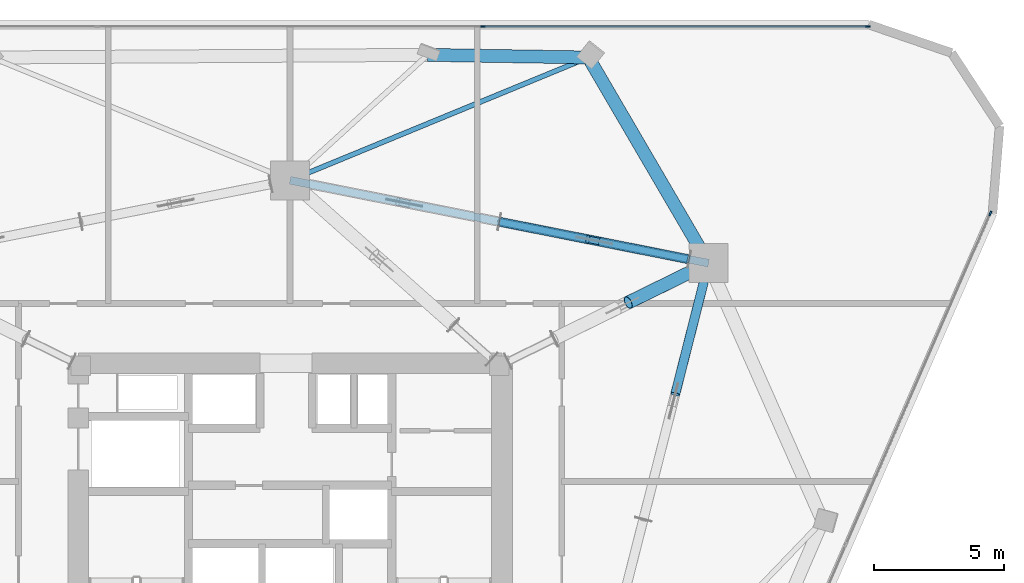
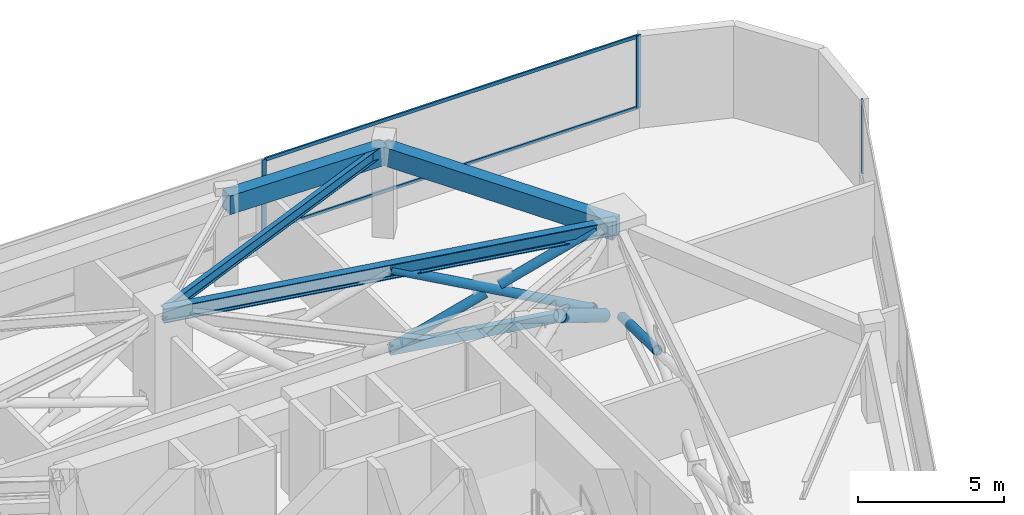
# One storey, part 8 of 13: 12 members, 4 beams, 2 elements without a shape of their own.
"""IFC4 building model written with IfcOpenShell, lengths in metres."""

from ifc_helpers import new_model, si_unit, direction, frame, origin, origin_2d, place, context, subcontext, project, spatial, rectangle, hollow_rectangle, hollow_circle, i_section, extrude, material, layer, layer_set, material_profile, profile_set, type_object, element, aggregate, save


model = new_model("IFC4")

# Units and contexts
model_context = context("Model", 3, precision=1e-05, world=origin(), true_north=direction((0.0, 1.0)))
body_context = subcontext(model_context, "Body", "Model", "MODEL_VIEW")
ifc_project = project(units=[si_unit("LENGTHUNIT", "METRE"), si_unit("AREAUNIT", "SQUARE_METRE"), si_unit("VOLUMEUNIT", "CUBIC_METRE"), si_unit("PLANEANGLEUNIT", "RADIAN"), si_unit("MASSUNIT", "GRAM", prefix="KILO")], contexts=[model_context])

# Site, building, storey
site_placement = place(None, origin())
site = spatial("IfcSite", under=ifc_project, at=site_placement, CompositionType="ELEMENT")
building_placement = place(site_placement, origin())
building = spatial("IfcBuilding", under=site, at=building_placement, Name="Talyreon Biosciences Tower", CompositionType="ELEMENT")
storey_placement = place(building_placement, frame((0.0, 0.0, 171.0)))
storey = spatial("IfcBuildingStorey", under=building, at=storey_placement, Name="L45", CompositionType="ELEMENT", Elevation=171.0)

# Members
ifc_material_1 = material(Name="Steel SM355", Category="steel")
ifc_material_profile_1 = material_profile(ifc_material_1, hollow_circle(Radius=0.177734375, WallThickness=0.01416015625, at=origin_2d()), Name="CHS 355.6x14.2")
ifc_profile_set_1 = profile_set([ifc_material_profile_1], Name="Steel SM355")
member_type_1 = type_object("IfcMemberType", Name="BeltBrace_CHS355", PredefinedType="BRACE", material=ifc_profile_set_1)
member_1_placement = place(storey_placement, frame((81.9150390625, 77.8623046875, 0.239990234375), z_axis=(-0.232205149796, -0.912726148197, 0.336172198145), x_axis=(0.969128930664, -0.246554488399, 0.0)))
element("IfcMember", 1, at=member_1_placement, inside=storey, type_object=member_type_1, Name="L45 Split Diagonal BELT-L45-B2S2B-Lower", PredefinedType="BRACE", context=body_context, shape_type="SweptSolid", body=[
    extrude(hollow_circle(Radius=0.177734375, WallThickness=0.01416015625, at=origin_2d()), origin(), (0.0, 0.0, 1.0), 4.717529296875),
])
member_2_placement = place(storey_placement, frame((81.35693359375, 78.746337890625, 0.239990234375), z_axis=(-0.894142944015, 0.177161259025, 0.411244798105), x_axis=(-0.194357006894, -0.980930860903, 0.0)))
element("IfcMember", 2, at=member_2_placement, inside=storey, type_object=member_type_1, Name="L45 Continuous Diagonal BELT-L45-B3S1A", PredefinedType="BRACE", context=body_context, shape_type="SweptSolid", body=[
    extrude(hollow_circle(Radius=0.177734375, WallThickness=0.01416015625, at=origin_2d()), origin(), (0.0, 0.0, 1.0), 8.170654296875),
])
member_3_placement = place(storey_placement, frame((74.05126953125, 80.19384765625, 0.239990234375), z_axis=(0.894135908253, -0.177146185612, 0.41126658811), x_axis=(0.194342566468, 0.98093372195, 0.0)))
element("IfcMember", 3, at=member_3_placement, inside=storey, type_object=member_type_1, Name="L45 Split Diagonal BELT-L45-B3S1B-Lower", PredefinedType="BRACE", context=body_context, shape_type="SweptSolid", body=[
    extrude(hollow_circle(Radius=0.177734375, WallThickness=0.01416015625, at=origin_2d()), origin(), (0.0, 0.0, 1.0), 3.80517578125),
])
member_4_placement = place(storey_placement, frame((77.954345703125, 79.42041015625, 2.03515625), z_axis=(0.894148772603, -0.177136023617, 0.411242995794), x_axis=(0.194329148717, 0.980936380179, 0.0)))
element("IfcMember", 4, at=member_4_placement, inside=storey, type_object=member_type_1, Name="L45 Split Diagonal BELT-L45-B3S1B-Upper", PredefinedType="BRACE", context=body_context, shape_type="SweptSolid", body=[
    extrude(hollow_circle(Radius=0.177734375, WallThickness=0.01416015625, at=origin_2d()), origin(), (0.0, 0.0, 1.0), 3.805419921875),
])
ifc_material_profile_2 = material_profile(ifc_material_1, hollow_rectangle(XDim=0.25, YDim=0.39990234375, WallThickness=0.01611328125, at=origin_2d()), Name="RHS 400x250x16")
ifc_profile_set_2 = profile_set([ifc_material_profile_2], Name="Steel SM355")
member_type_2 = type_object("IfcMemberType", Name="BeltChord_RHS400x250", PredefinedType="CHORD", material=ifc_profile_set_2)
for number, where, z_axis, x_axis, name in (
    (5, (81.35693359375, 78.746337890625, 0.239990234375), (-0.980930860903, 0.194357006894, 0.0), (-0.194357006894, -0.980930860903, 0.0), "L45 Truss Bottom Chord BELT-L45-B3S1"),
    (6, (81.35693359375, 78.746337890625, 3.60009765625), (-0.980930860903, 0.194357006894, 0.0), (-0.194357006894, -0.980930860903, 0.0), "L45 Truss Top Chord BELT-L45-B3S1"),
):
    element("IfcMember", number, at=place(storey_placement, frame(where, z_axis=z_axis, x_axis=x_axis)), inside=storey, type_object=member_type_2, Name=name, PredefinedType="CHORD", context=body_context, shape_type="SweptSolid", body=[
        extrude(hollow_rectangle(XDim=0.25, YDim=0.39990234375, WallThickness=0.01611328125, at=origin_2d()), origin(), (0.0, 0.0, 1.0), 7.44775390625),
    ])

# Curtain wall, members
ifc_material_2 = material(Name="Thermally broken aluminium and low-E glazing", Category="aluminium")
ifc_layer = layer(ifc_material_2, 0.18505859375)
ifc_layer_set = layer_set([ifc_layer], Name="Thermally broken aluminium and low-E glazing")
curtain_wall_type = type_object("IfcCurtainWallType", Name="CurtainWall_Zone3Bioprocess", PredefinedType="NOTDEFINED", material=ifc_layer_set)
curtain_wall_1_placement = place(storey_placement, origin())
curtain_wall_1 = element("IfcCurtainWall", 7, at=curtain_wall_1_placement, inside=storey, type_object=curtain_wall_type, Name="L45 Unitised Curtain Wall FCW-L45-04", PredefinedType="NOTDEFINED")
ifc_material_3 = material(Name="Anodised thermally broken aluminium", Category="aluminium")
ifc_material_profile_3 = material_profile(ifc_material_3, rectangle(XDim=0.06494140625, YDim=0.179931640625, at=origin_2d()), Name="ALUM MULLION 65x180")
ifc_profile_set_3 = profile_set([ifc_material_profile_3], Name="Anodised thermally broken aluminium")
member_type_3 = type_object("IfcMemberType", Name="CWMullion_65x180", PredefinedType="MULLION", material=ifc_profile_set_3)
member_5_placement = place(storey_placement, frame((73.42041015625, 87.705810546875, 0.81005859375), z_axis=(0.0, 0.0, 1.0), x_axis=(0.0, 1.0, 0.0)))
member_5 = element("IfcMember", 8, at=member_5_placement, type_object=member_type_3, Name="CW4 mullion 3", PredefinedType="MULLION", context=body_context, shape_type="SweptSolid", body=[
    extrude(rectangle(XDim=0.06494140625, YDim=0.179931640625, at=origin_2d()), origin(), (0.0, 0.0, 1.0), 3.0400390625),
])
member_6_placement = place(storey_placement, frame((88.22900390625, 87.705810546875, 0.81005859375), z_axis=(0.0, 0.0, 1.0), x_axis=(0.0, 1.0, 0.0)))
member_6 = element("IfcMember", 9, at=member_6_placement, type_object=member_type_3, Name="CW4 mullion 4", PredefinedType="MULLION", context=body_context, shape_type="SweptSolid", body=[
    extrude(rectangle(XDim=0.06494140625, YDim=0.179931640625, at=origin_2d()), origin(), (0.0, 0.0, 1.0), 3.0400390625),
])

# Curtain wall, member
curtain_wall_2_placement = place(storey_placement, origin())
curtain_wall_2 = element("IfcCurtainWall", 10, at=curtain_wall_2_placement, inside=storey, type_object=curtain_wall_type, Name="L45 Unitised Curtain Wall FCW-L45-08", PredefinedType="NOTDEFINED")
member_7_placement = place(storey_placement, frame((92.942626953125, 80.511474609375, 0.81005859375), z_axis=(0.0, 0.0, 1.0), x_axis=(0.916820215501, -0.399300253505, 0.0)))
member_7 = element("IfcMember", 11, at=member_7_placement, type_object=member_type_3, Name="CW4 mullion 1", PredefinedType="MULLION", context=body_context, shape_type="SweptSolid", body=[
    extrude(rectangle(XDim=0.06494140625, YDim=0.179931640625, at=origin_2d()), origin(), (0.0, 0.0, 1.0), 3.0400390625),
])
aggregate(curtain_wall_2, [member_7])

# Member
ifc_material_profile_4 = material_profile(ifc_material_3, rectangle(XDim=0.06494140625, YDim=0.139892578125, at=origin_2d()), Name="ALUM TRANSOM 65x140")
ifc_profile_set_4 = profile_set([ifc_material_profile_4], Name="Anodised thermally broken aluminium")
member_type_4 = type_object("IfcMemberType", Name="CWTransom_65x140", PredefinedType="USERDEFINED", material=ifc_profile_set_4)
member_8_placement = place(storey_placement, frame((73.452880859375, 87.705810546875, 0.842529296875), z_axis=(1.0, 0.0, 0.0), x_axis=(0.0, 1.0, 0.0)))
member_8 = element("IfcMember", 12, at=member_8_placement, type_object=member_type_4, Name="CW4 transom 3.1", ObjectType="TRANSOM", PredefinedType="USERDEFINED", context=body_context, shape_type="SweptSolid", body=[
    extrude(rectangle(XDim=0.06494140625, YDim=0.139892578125, at=origin_2d()), origin(), (0.0, 0.0, 1.0), 14.74365234375),
])

member_9_placement = place(storey_placement, frame((73.452880859375, 87.705810546875, 3.8173828125), z_axis=(1.0, 0.0, 0.0), x_axis=(0.0, 1.0, 0.0)))
member_9 = element("IfcMember", 13, at=member_9_placement, type_object=member_type_4, Name="CW4 transom 3.2", ObjectType="TRANSOM", PredefinedType="USERDEFINED", context=body_context, shape_type="SweptSolid", body=[
    extrude(rectangle(XDim=0.06494140625, YDim=0.139892578125, at=origin_2d()), origin(), (0.0, 0.0, 1.0), 14.74365234375),
])

aggregate(curtain_wall_1, [member_5, member_6, member_8, member_9])

# Beams
ifc_material_4 = material(Name="Precast concrete C45/55", Category="concrete")
ifc_material_profile_5 = material_profile(ifc_material_4, rectangle(XDim=0.5, YDim=0.780029296875, at=origin_2d()), Name="RCB 500x780")
ifc_profile_set_5 = profile_set([ifc_material_profile_5], Name="Precast concrete C45/55")
beam_type_1 = type_object("IfcBeamType", Name="ExpressedSpandrel_500x780", PredefinedType="SPANDREL", material=ifc_profile_set_5)
beam_1_placement = place(storey_placement, frame((82.102294921875, 78.5986328125, 3.4599609375), z_axis=(-0.504465399351, 0.86343190864, 0.0), x_axis=(-0.86343190864, -0.504465399351, 0.0)))
element("IfcBeam", 14, at=beam_1_placement, inside=storey, type_object=beam_type_1, Name="L45 Expressed Horizontal Concrete Spandrel 05", PredefinedType="SPANDREL", context=body_context, shape_type="SweptSolid", body=[
    extrude(rectangle(XDim=0.5, YDim=0.780029296875, at=origin_2d()), origin(), (0.0, 0.0, 1.0), 9.166748046875),
])
beam_2_placement = place(storey_placement, frame((77.47802734375, 86.513427734375, 3.4599609375), z_axis=(-0.999868871702, 0.016193807521, 0.0), x_axis=(-0.016193807521, -0.999868871702, 0.0)))
element("IfcBeam", 15, at=beam_2_placement, inside=storey, type_object=beam_type_1, Name="L45 Expressed Horizontal Concrete Spandrel 06", PredefinedType="SPANDREL", context=body_context, shape_type="SweptSolid", body=[
    extrude(rectangle(XDim=0.5, YDim=0.780029296875, at=origin_2d()), origin(), (0.0, 0.0, 1.0), 6.18115234375),
])

# Member
ifc_material_profile_6 = material_profile(ifc_material_1, hollow_circle(Radius=0.25390625, WallThickness=0.02001953125, at=origin_2d()), Name="CHS 508x20")
ifc_profile_set_6 = profile_set([ifc_material_profile_6], Name="Steel SM355")
member_type_5 = type_object("IfcMemberType", Name="OutriggerBrace_CHS508", PredefinedType="BRACE", material=ifc_profile_set_6)
member_10_placement = place(storey_placement, frame((81.419921875, 78.26416015625, 0.239990234375), z_axis=(-0.778822500296, -0.381961232304, 0.497535054091), x_axis=(0.440329622374, -0.89783618977, 0.0)))
element("IfcMember", 16, at=member_10_placement, inside=storey, type_object=member_type_5, Name="L45 Split Diagonal OUT-L45-R3B-Lower", PredefinedType="BRACE", context=body_context, shape_type="SweptSolid", body=[
    extrude(hollow_circle(Radius=0.25390625, WallThickness=0.02001953125, at=origin_2d()), origin(), (0.0, 0.0, 1.0), 3.096923828125),
])

# Beams
ifc_material_profile_7 = material_profile(ifc_material_1, i_section(OverallWidth=0.300048828125, OverallDepth=0.60009765625, WebThickness=0.015380859375, FlangeThickness=0.030029296875, FilletRadius=0.027099609375, at=origin_2d()), Name="HE600B")
ifc_profile_set_7 = profile_set([ifc_material_profile_7], Name="Steel SM355")
beam_type_2 = type_object("IfcBeamType", Name="SteelBeam_HE600B", PredefinedType="BEAM", material=ifc_profile_set_7)
beam_3_placement = place(storey_placement, frame((82.102294921875, 78.5986328125, 3.550048828125), z_axis=(-0.980933730698, 0.194342522311, 0.0), x_axis=(-0.194342522311, -0.980933730698, 0.0)))
element("IfcBeam", 17, at=beam_3_placement, inside=storey, type_object=beam_type_2, Name="L45 Mega-Ring Girder 3", PredefinedType="BEAM", context=body_context, shape_type="SweptSolid", body=[
    extrude(i_section(OverallWidth=0.300048828125, OverallDepth=0.60009765625, WebThickness=0.015380859375, FlangeThickness=0.030029296875, FilletRadius=0.027099609375, at=origin_2d()), origin(), (0.0, 0.0, 1.0), 16.415283203125),
])
ifc_material_profile_8 = material_profile(ifc_material_1, i_section(OverallWidth=0.18994140625, OverallDepth=0.449951171875, WebThickness=0.009521484375, FlangeThickness=0.0146484375, FilletRadius=0.02099609375, at=origin_2d()), Name="IPE450")
ifc_profile_set_8 = profile_set([ifc_material_profile_8], Name="Steel SM355")
beam_type_3 = type_object("IfcBeamType", Name="SteelJoist_IPE450", PredefinedType="JOIST", material=ifc_profile_set_8)
beam_4_placement = place(storey_placement, frame((66.0, 81.788818359375, 3.625), z_axis=(0.924724529368, 0.380637024978, 0.0), x_axis=(-0.380637024978, 0.924724529368, 0.0)))
element("IfcBeam", 18, at=beam_4_placement, inside=storey, type_object=beam_type_3, Name="L45 Radial Composite Floor Joist PC-N1", PredefinedType="JOIST", context=body_context, shape_type="SweptSolid", body=[
    extrude(i_section(OverallWidth=0.18994140625, OverallDepth=0.449951171875, WebThickness=0.009521484375, FlangeThickness=0.0146484375, FilletRadius=0.02099609375, at=origin_2d()), origin(), (0.0, 0.0, 1.0), 12.412353515625),
])

save(model, "model.ifc")
